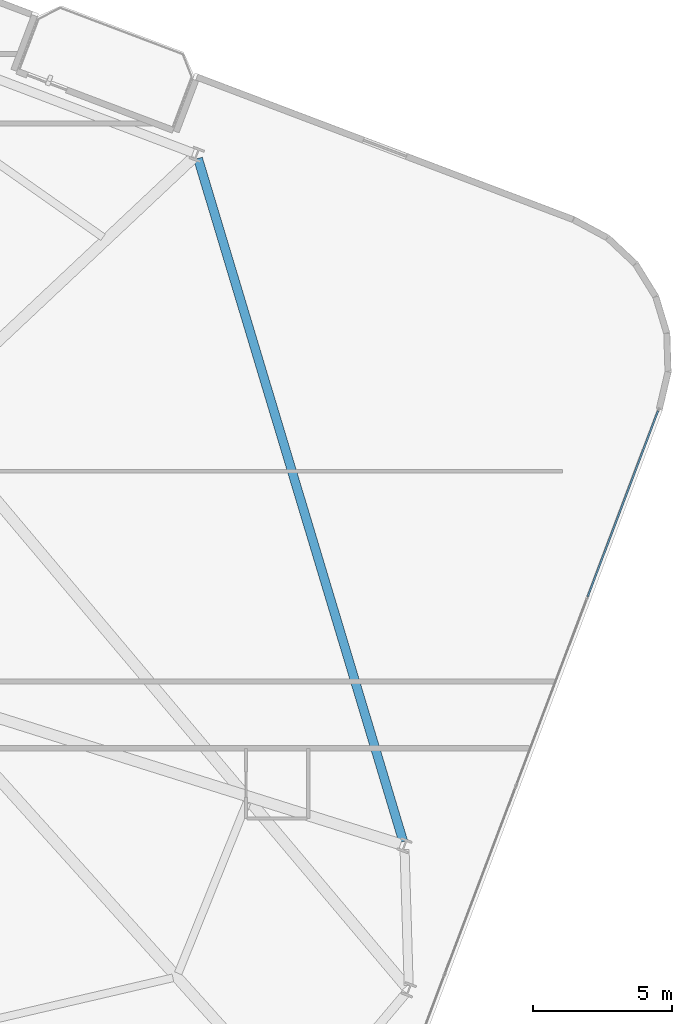
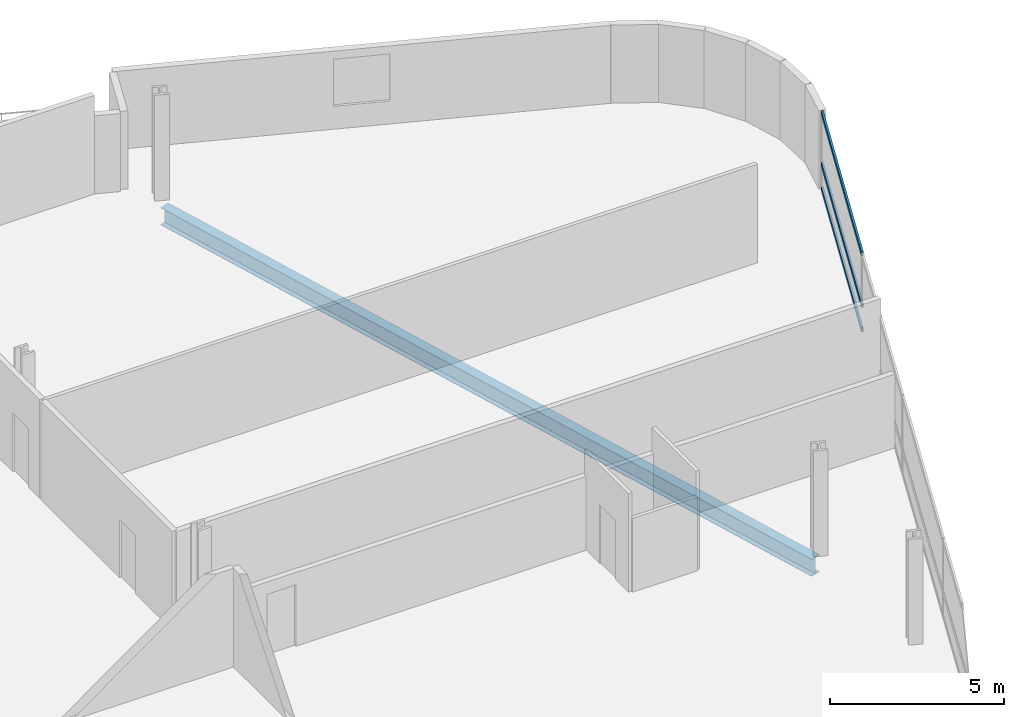
# One storey, part 14 of 24: 3 members, 1 beam, 1 element without a shape of its own.
"""IFC4 building model written with IfcOpenShell, lengths in metres."""

import ifcopenshell
import ifcopenshell.guid

model = None  # the IFC model being written
_history = None  # IfcOwnerHistory: only IFC2X3 demands one
_inside = {}  # id of a spatial element -> (the spatial element, [elements in it])
_under = {}  # id of a project, library or spatial element -> (it, [spatial elements below it])
_declared = {}  # id of a project -> (the project, [libraries it declares])
_typed = {}  # id of a type object -> (the type object, [elements of that type])
_made_of = {}  # id of a material, layer set ... -> (it, [elements and type objects made of it])


def new_model(schema):
    """Start an empty IFC model of exactly this schema.

    Asked for "IFC4X3", IfcOpenShell would pick the latest addendum, in which some entities
    have other attributes; the version numbers below select the first issue.
    IFC2X3 requires an IfcOwnerHistory on every rooted entity: one is made here for all.
    """
    global model, _history
    if schema == "IFC4X3":
        model = ifcopenshell.file(schema_version=(4, 3, 0, 0))
    else:
        model = ifcopenshell.file(schema=schema)
    _inside.clear()
    _under.clear()
    _declared.clear()
    _typed.clear()
    _made_of.clear()
    _history = None
    if model.schema == "IFC2X3":
        org = make("IfcOrganization", Name="unknown")
        user = make(
            "IfcPersonAndOrganization",
            ThePerson=make("IfcPerson", FamilyName="unknown"),
            TheOrganization=org,
        )
        app = make(
            "IfcApplication",
            ApplicationDeveloper=org,
            Version="unknown",
            ApplicationFullName="unknown",
            ApplicationIdentifier="unknown",
        )
        _history = make(
            "IfcOwnerHistory",
            OwningUser=user,
            OwningApplication=app,
            ChangeAction="ADDED",
            CreationDate=0,
        )
    return model


def make(cls, **values):
    """One entity of the class cls with the attributes given. An attribute that is None is left unset."""
    return model.create_entity(
        cls, **{name: value for name, value in values.items() if value is not None}
    )


def rooted(cls, **values):
    """An entity with a GlobalId (a new one), such as an element, a storey or a relation."""
    return make(cls, GlobalId=ifcopenshell.guid.new(), OwnerHistory=_history, **values)


def si_unit(unit_type, name, prefix=None):
    """IfcSIUnit, for example si_unit("LENGTHUNIT", "METRE", prefix="MILLI")."""
    return make("IfcSIUnit", UnitType=unit_type, Prefix=prefix, Name=name)


def assignment(units):
    """IfcUnitAssignment: the units of a project."""
    return None if units is None else make("IfcUnitAssignment", Units=units)


def point(xyz):
    """IfcCartesianPoint."""
    return None if xyz is None else make("IfcCartesianPoint", Coordinates=xyz)


def direction(xyz):
    """IfcDirection."""
    return None if xyz is None else make("IfcDirection", DirectionRatios=xyz)


def frame(location, z_axis=None, x_axis=None):
    """IfcAxis2Placement3D, a coordinate frame: its origin and axes. An axis left out is left unset."""
    return make(
        "IfcAxis2Placement3D",
        Location=point(location),
        Axis=direction(z_axis),
        RefDirection=direction(x_axis),
    )


def frame_2d(location, x_axis=None):
    """IfcAxis2Placement2D, a coordinate frame in the plane: its origin and x axis."""
    return make(
        "IfcAxis2Placement2D", Location=point(location), RefDirection=direction(x_axis)
    )


def origin():
    """The frame at (0, 0, 0) with its axes left unset."""
    return frame((0.0, 0.0, 0.0))


def origin_2d():
    """The frame at (0, 0) in the plane with its x axis left unset."""
    return frame_2d((0.0, 0.0))


def place(relative_to, where):
    """IfcLocalPlacement: puts the frame where relative to a parent placement (None: the world)."""
    return make(
        "IfcLocalPlacement", PlacementRelTo=relative_to, RelativePlacement=where
    )


def context(
    kind, dimensions, precision=None, world=None, true_north=None, identifier=None
):
    """IfcGeometricRepresentationContext, for example the 3D "Model" context."""
    return make(
        "IfcGeometricRepresentationContext",
        ContextIdentifier=identifier,
        ContextType=kind,
        CoordinateSpaceDimension=dimensions,
        Precision=precision,
        WorldCoordinateSystem=world,
        TrueNorth=true_north,
    )


def subcontext(parent, identifier, kind, view, scale=None):
    """IfcGeometricRepresentationSubContext, for example "Body" below "Model"."""
    return make(
        "IfcGeometricRepresentationSubContext",
        ContextIdentifier=identifier,
        ContextType=kind,
        ParentContext=parent,
        TargetScale=scale,
        TargetView=view,
    )


def project(units=None, contexts=None):
    """IfcProject with its units and contexts."""
    return rooted(
        "IfcProject",
        Name="project",
        RepresentationContexts=contexts,
        UnitsInContext=assignment(units),
    )


def spatial(cls, under=None, at=None, **own):
    """A site, building, storey or space (cls), placed at a placement, below another one or the project."""
    s = rooted(cls, ObjectPlacement=at, **own)
    if under is not None:
        _under.setdefault(under.id(), (under, []))[1].append(s)
    return s


def profile(cls, at=None, kind="AREA", **sizes):
    """A parametric profile (cls). Its sizes go by their IFC names, for example OverallWidth=200.0."""
    return make(cls, ProfileType=kind, Position=at, **sizes)


def hollow_rectangle(**sizes):
    """IfcRectangleHollowProfileDef."""
    return profile("IfcRectangleHollowProfileDef", **sizes)


def i_section(**sizes):
    """IfcIShapeProfileDef."""
    return profile("IfcIShapeProfileDef", **sizes)


def extrude(swept, where, along, depth):
    """IfcExtrudedAreaSolid: the profile swept, set in the frame where, extruded along a direction by depth."""
    return make(
        "IfcExtrudedAreaSolid",
        SweptArea=swept,
        Position=where,
        ExtrudedDirection=direction(along),
        Depth=depth,
    )


def shape(context_of_items, identifier, shape_type, items):
    """IfcShapeRepresentation: the items that make up one representation, for example the "Body"."""
    return make(
        "IfcShapeRepresentation",
        ContextOfItems=context_of_items,
        RepresentationIdentifier=identifier,
        RepresentationType=shape_type,
        Items=items,
    )


def material(Name=None, Category=None):
    """IfcMaterial."""
    return make("IfcMaterial", Name=Name, Category=Category)


def layer(
    of_material, thickness, ventilated=None, Name=None, Category=None, Priority=None
):
    """IfcMaterialLayer: one layer of a wall or slab, of a material (None: an air gap)."""
    return make(
        "IfcMaterialLayer",
        Material=of_material,
        LayerThickness=thickness,
        IsVentilated=ventilated,
        Name=Name,
        Category=Category,
        Priority=Priority,
    )


def layer_set(layers, Name=None):
    """IfcMaterialLayerSet."""
    return make("IfcMaterialLayerSet", MaterialLayers=layers, LayerSetName=Name)


def material_profile(
    of_material, cross_section, Name=None, Category=None, Priority=None
):
    """IfcMaterialProfile: a cross section and its material."""
    return make(
        "IfcMaterialProfile",
        Name=Name,
        Material=of_material,
        Profile=cross_section,
        Priority=Priority,
        Category=Category,
    )


def profile_set(profiles, Name=None, composite=None):
    """IfcMaterialProfileSet."""
    return make(
        "IfcMaterialProfileSet",
        Name=Name,
        MaterialProfiles=profiles,
        CompositeProfile=composite,
    )


def made_of(thing, what):
    """Note that an element or type object is made of a material, layer set ...; save() writes the relation."""
    if what is not None:
        _made_of.setdefault(what.id(), (what, []))[1].append(thing)
    return thing


def type_object(cls, material=None, **own):
    """A type object (cls), such as IfcWallType, which elements share."""
    return made_of(rooted(cls, **own), material)


def element(
    cls,
    number,
    at=None,
    inside=None,
    cuts=None,
    type_object=None,
    material=None,
    context=None,
    identifier="Body",
    shape_type=None,
    held_by="IfcProductDefinitionShape",
    body=None,
    shapes=None,
    **own,
):
    """One element of the class cls, such as IfcWall. Its Tag is "e" and its number.

    at: its placement. inside: the storey or other place that contains it. cuts: it is an
    opening in that element (IfcRelVoidsElement). A single representation is given by context,
    identifier, shape_type and body (its items); several are given by shapes. held_by: the class
    of the entity that holds the representations. save() writes the other relations.
    """
    e = rooted(cls, Tag="e%d" % number, ObjectPlacement=at, **own)
    if body is not None:
        shapes = [shape(context, identifier, shape_type, body)]
    if shapes is not None:
        e.Representation = make(held_by, Representations=shapes)
    if inside is not None:
        _inside.setdefault(inside.id(), (inside, []))[1].append(e)
    if cuts is not None:
        rooted(
            "IfcRelVoidsElement", RelatingBuildingElement=cuts, RelatedOpeningElement=e
        )
    if type_object is not None:
        _typed.setdefault(type_object.id(), (type_object, []))[1].append(e)
    return made_of(e, material)


def aggregate(whole, parts):
    """IfcRelAggregates: a whole, such as a stair, and the parts it consists of."""
    return rooted("IfcRelAggregates", RelatingObject=whole, RelatedObjects=parts)


def save(model, path):
    """Write the relations noted so far, then the file.

    IfcRelAggregates (storeys below a building ...), IfcRelContainedInSpatialStructure (elements
    in a storey), IfcRelDefinesByType, IfcRelAssociatesMaterial and IfcRelDeclares: one each for
    every whole, place, type object, material and project.
    """
    for whole, parts in _under.values():
        aggregate(whole, parts)
    for where, things in _inside.values():
        rooted(
            "IfcRelContainedInSpatialStructure",
            RelatedElements=things,
            RelatingStructure=where,
        )
    for kind, things in _typed.values():
        rooted("IfcRelDefinesByType", RelatedObjects=things, RelatingType=kind)
    for what, things in _made_of.values():
        rooted("IfcRelAssociatesMaterial", RelatedObjects=things, RelatingMaterial=what)
    for by, libraries in _declared.values():
        rooted("IfcRelDeclares", RelatingContext=by, RelatedDefinitions=libraries)
    model.write(path)


model = new_model("IFC4")

# Units and contexts
model_context = context("Model", 3, precision=1e-05, world=origin(), true_north=direction((0.0, 1.0)))
body_context = subcontext(model_context, "Body", "Model", "MODEL_VIEW")
ifc_project = project(units=[si_unit("LENGTHUNIT", "METRE"), si_unit("AREAUNIT", "SQUARE_METRE"), si_unit("VOLUMEUNIT", "CUBIC_METRE"), si_unit("PLANEANGLEUNIT", "RADIAN"), si_unit("MASSUNIT", "GRAM", prefix="KILO")], contexts=[model_context])

# Site, building, storey
site_placement = place(None, origin())
site = spatial("IfcSite", under=ifc_project, at=site_placement, CompositionType="ELEMENT")
building_placement = place(site_placement, origin())
building = spatial("IfcBuilding", under=site, at=building_placement, Name="Varnelok Gate Tower", CompositionType="ELEMENT")
storey_placement = place(building_placement, frame((0.0, 0.0, 98.39990234375)))
storey = spatial("IfcBuildingStorey", under=building, at=storey_placement, Name="L24", CompositionType="ELEMENT", Elevation=98.39990234375)

# Beam
ifc_material_1 = material(Name="Structural Steel ASTM A992 Grade 50", Category="steel")
ifc_material_profile_1 = material_profile(ifc_material_1, i_section(OverallWidth=0.323974609375, OverallDepth=0.611083984375, WebThickness=0.0126953125, FlangeThickness=0.01904296875, FilletRadius=0.01806640625, at=origin_2d()), Name="W24X104")
ifc_profile_set_1 = profile_set([ifc_material_profile_1], Name="Structural Steel ASTM A992 Grade 50")
beam_type = type_object("IfcBeamType", Name="BM-SPN-W24X104", PredefinedType="SPANDREL", material=ifc_profile_set_1)
beam_placement = place(storey_placement, frame((71.27587890625, 13.497802734375, -0.555419921875), z_axis=(-0.287745549664, 0.957706896001, 0.0), x_axis=(-0.957706896001, -0.287745549664, 0.0)))
element("IfcBeam", 1, at=beam_placement, inside=storey, type_object=beam_type, Name="L24 Perimeter Spandrel Beam 8", PredefinedType="SPANDREL", context=body_context, shape_type="SweptSolid", body=[
    extrude(i_section(OverallWidth=0.323974609375, OverallDepth=0.611083984375, WebThickness=0.0126953125, FlangeThickness=0.01904296875, FilletRadius=0.01806640625, at=origin_2d()), origin(), (0.0, 0.0, 1.0), 25.6259765625),
])

# Curtain wall, members
ifc_material_2 = material(Name="Anodized Aluminum Alloy 6063-T6", Category="aluminium")
ifc_layer = layer(ifc_material_2, 0.179931640625)
ifc_layer_set = layer_set([ifc_layer], Name="Anodized Aluminum Alloy 6063-T6")
curtain_wall_type = type_object("IfcCurtainWallType", Name="CW3-HOTEL-VISION", PredefinedType="USERDEFINED", material=ifc_layer_set)
curtain_wall_placement = place(storey_placement, origin())
curtain_wall = element("IfcCurtainWall", 2, at=curtain_wall_placement, inside=storey, type_object=curtain_wall_type, Name="L24 East End Vision Curtain Wall", ObjectType="UNITISED CURTAIN WALL", PredefinedType="USERDEFINED")
ifc_material_profile_2 = material_profile(ifc_material_2, hollow_rectangle(XDim=0.06494140625, YDim=0.159912109375, WallThickness=0.00390625, at=origin_2d()), Name="ALU160X65X4")
ifc_profile_set_2 = profile_set([ifc_material_profile_2], Name="Anodized Aluminum Alloy 6063-T6")
member_type = type_object("IfcMemberType", Name="CW-TRAN-160", PredefinedType="USERDEFINED", material=ifc_profile_set_2)
member_1_placement = place(storey_placement, frame((80.431884765625, 28.974365234375, 0.03271484375), z_axis=(-0.35404725046, -0.935227536187, 0.0), x_axis=(0.935227536187, -0.35404725046, 0.0)))
member_1 = element("IfcMember", 3, at=member_1_placement, type_object=member_type, Name="CW3 transom 1.1", ObjectType="TRANSOM", PredefinedType="USERDEFINED", context=body_context, shape_type="SweptSolid", body=[
    extrude(hollow_rectangle(XDim=0.06494140625, YDim=0.159912109375, WallThickness=0.00390625, at=origin_2d()), origin(), (0.0, 0.0, 1.0), 7.142578125),
])
member_2_placement = place(storey_placement, frame((80.431884765625, 28.974365234375, 0.900146484375), z_axis=(-0.35404725046, -0.935227536187, 0.0), x_axis=(0.935227536187, -0.35404725046, 0.0)))
member_2 = element("IfcMember", 4, at=member_2_placement, type_object=member_type, Name="CW3 transom 1.2", ObjectType="TRANSOM", PredefinedType="USERDEFINED", context=body_context, shape_type="SweptSolid", body=[
    extrude(hollow_rectangle(XDim=0.06494140625, YDim=0.159912109375, WallThickness=0.00390625, at=origin_2d()), origin(), (0.0, 0.0, 1.0), 7.142578125),
])
member_3_placement = place(storey_placement, frame((80.431884765625, 28.974365234375, 2.697509765625), z_axis=(-0.35404725046, -0.935227536187, 0.0), x_axis=(0.935227536187, -0.35404725046, 0.0)))
member_3 = element("IfcMember", 5, at=member_3_placement, type_object=member_type, Name="CW3 transom 1.3", ObjectType="TRANSOM", PredefinedType="USERDEFINED", context=body_context, shape_type="SweptSolid", body=[
    extrude(hollow_rectangle(XDim=0.06494140625, YDim=0.159912109375, WallThickness=0.00390625, at=origin_2d()), origin(), (0.0, 0.0, 1.0), 7.142578125),
])
aggregate(curtain_wall, [member_1, member_2, member_3])

save(model, "model.ifc")
